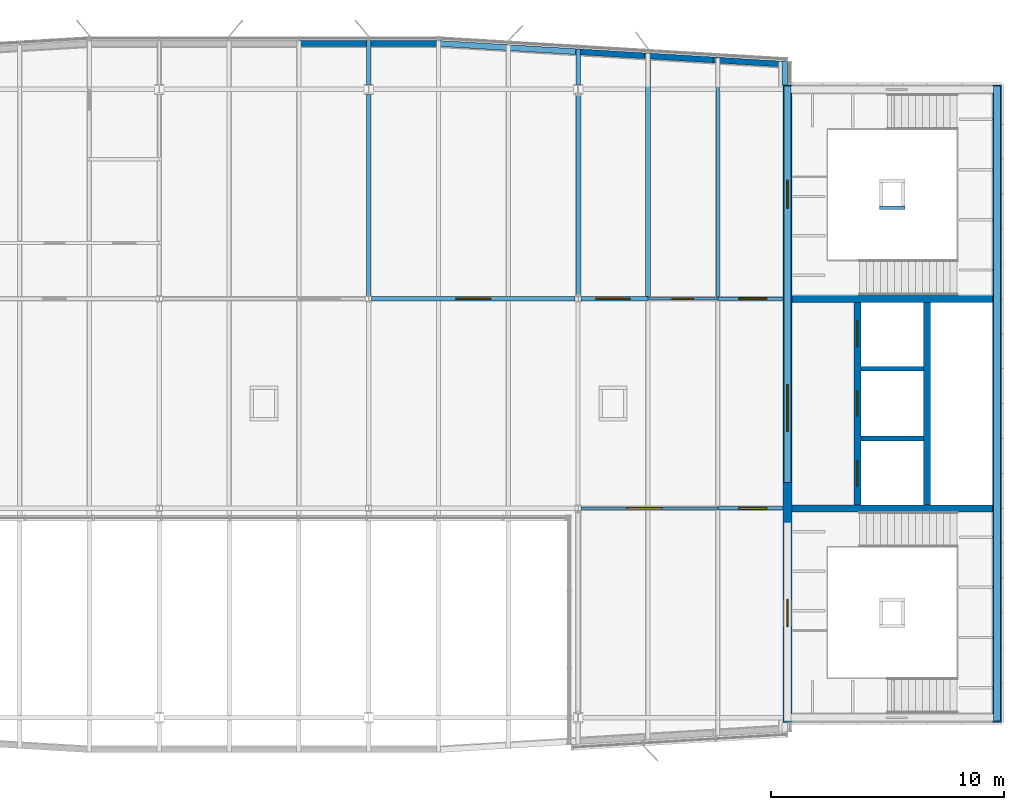
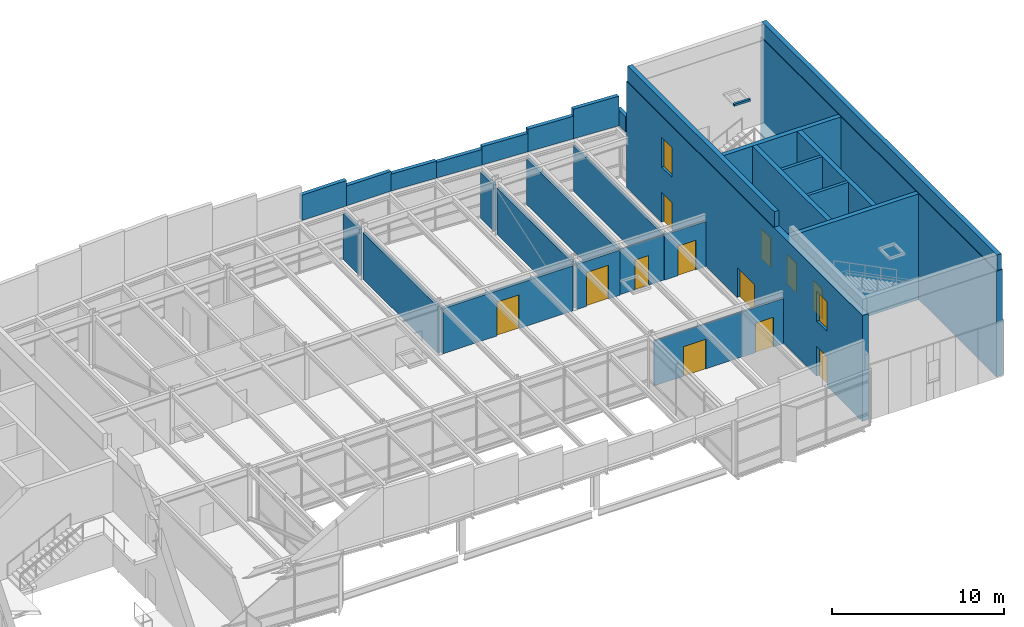
# One storey, part 19 of 23: 31 walls, 14 doors, 14 openings.
"""IFC4 building model written with IfcOpenShell, lengths in metres."""

from ifc_helpers import new_model, si_unit, direction, frame, frame_2d, origin, place, context, subcontext, project, spatial, rectangle, extrude, material, layer, layer_set, type_object, element, fill, save


model = new_model("IFC4")

# Units and contexts
model_context = context("Model", 3, precision=1e-05, world=origin(), true_north=direction((0.0, 1.0)))
body_context = subcontext(model_context, "Body", "Model", "MODEL_VIEW")
ifc_project = project(units=[si_unit("LENGTHUNIT", "METRE"), si_unit("AREAUNIT", "SQUARE_METRE"), si_unit("VOLUMEUNIT", "CUBIC_METRE"), si_unit("PLANEANGLEUNIT", "RADIAN"), si_unit("MASSUNIT", "GRAM", prefix="KILO")], contexts=[model_context])

# Site, building, storey
site_placement = place(None, origin())
site = spatial("IfcSite", under=ifc_project, at=site_placement, CompositionType="ELEMENT")
building_placement = place(site_placement, origin())
building = spatial("IfcBuilding", under=site, at=building_placement, Name="Azimuth Sports and Learning Centre", CompositionType="ELEMENT")
storey_placement = place(building_placement, frame((0.0, 0.0, 75.300048828125)))
storey = spatial("IfcBuildingStorey", under=building, at=storey_placement, Name="L17", CompositionType="ELEMENT", Elevation=75.300048828125)

# Walls
ifc_material_1 = material(Name="Dense masonry blockwork", Category="masonry")
ifc_layer_1 = layer(ifc_material_1, 0.199951171875)
ifc_layer_set_1 = layer_set([ifc_layer_1], Name="Dense masonry blockwork")
wall_type_1 = type_object("IfcWallType", Name="Blockwork wall 200 EI 120", PredefinedType="SOLIDWALL", material=ifc_layer_set_1)
for number, where, z_axis, x_axis, name in (
    (1, (111.14990234375, 102.0, 0.0), (0.0, 0.0, 1.0), (1.0, 0.0, 0.0), "SD-E-1-L17"),
    (2, (111.14990234375, 105.0, 0.0), (0.0, 0.0, 1.0), (1.0, 0.0, 0.0), "SD-E-2-L17"),
):
    element("IfcWall", number, at=place(storey_placement, frame(where, z_axis=z_axis, x_axis=x_axis)), inside=storey, type_object=wall_type_1, Name=name, PredefinedType="SOLIDWALL", context=body_context, shape_type="SweptSolid", body=[
        extrude(rectangle(XDim=2.7001953125, YDim=0.199951171875, at=frame_2d((1.35009765625, 0.0))), origin(), (0.0, 0.0, 1.0), 7.5),
    ])
ifc_material_2 = material(Name="Reinforced masonry parapet", Category="masonry")
ifc_layer_2 = layer(ifc_material_2, 0.25)
ifc_layer_set_2 = layer_set([ifc_layer_2], Name="Reinforced masonry parapet")
wall_type_2 = type_object("IfcWallType", Name="Parapet wall 250", PredefinedType="PARAPET", material=ifc_layer_set_2)
wall_1_placement = place(storey_placement, frame((107.875, 117.199951171875, 3.89990234375), z_axis=(0.0, 0.0, 1.0), x_axis=(0.0, 1.0, 0.0)))
element("IfcWall", 3, at=wall_1_placement, inside=storey, type_object=wall_type_2, Name="Parapet E-RET-N", PredefinedType="PARAPET", context=body_context, shape_type="SweptSolid", body=[
    extrude(rectangle(XDim=1.014892578125, YDim=0.25, at=frame_2d((0.50732421875, 0.0))), origin(), (0.0, 0.0, 1.0), 1.10009765625),
])
wall_2_placement = place(storey_placement, frame((107.750244140625, 118.08984375, 3.89990234375), z_axis=(0.0, 0.0, 1.0), x_axis=(-0.998206819367, 0.059859383295, 0.0)))
element("IfcWall", 4, at=wall_2_placement, inside=storey, type_object=wall_type_2, Name="Parapet N-TOWER-1 1", PredefinedType="PARAPET", context=body_context, shape_type="SweptSolid", body=[
    extrude(rectangle(XDim=2.95703125, YDim=0.25, at=frame_2d((1.478515625, 0.0))), origin(), (0.0, 0.0, 1.0), 2.10009765625),
])
wall_3_placement = place(storey_placement, frame((104.798583984375, 118.266845703125, 3.89990234375), z_axis=(0.0, 0.0, 1.0), x_axis=(-0.99820652349, 0.059864317109, 0.0)))
element("IfcWall", 5, at=wall_3_placement, inside=storey, type_object=wall_type_2, Name="Parapet N-TOWER-1 2", PredefinedType="PARAPET", context=body_context, shape_type="SweptSolid", body=[
    extrude(rectangle(XDim=2.956787109375, YDim=0.25, at=frame_2d((1.478515625, 0.0))), origin(), (0.0, 0.0, 1.0), 1.60009765625),
])
wall_4_placement = place(storey_placement, frame((101.84716796875, 118.44384765625, 3.89990234375), z_axis=(0.0, 0.0, 1.0), x_axis=(-0.998201882594, 0.059941651511, 0.0)))
element("IfcWall", 6, at=wall_4_placement, inside=storey, type_object=wall_type_2, Name="Parapet N-TOWER-1 3", PredefinedType="PARAPET", context=body_context, shape_type="SweptSolid", body=[
    extrude(rectangle(XDim=2.95703125, YDim=0.25, at=frame_2d((1.478515625, 0.0))), origin(), (0.0, 0.0, 1.0), 1.300048828125),
])
wall_5_placement = place(storey_placement, frame((98.8955078125, 118.62109375, 3.89990234375), z_axis=(0.0, 0.0, 1.0), x_axis=(-0.99820652349, 0.059864317109, 0.0)))
element("IfcWall", 7, at=wall_5_placement, inside=storey, type_object=wall_type_2, Name="Parapet N-TOWER-1 4", PredefinedType="PARAPET", context=body_context, shape_type="SweptSolid", body=[
    extrude(rectangle(XDim=2.956787109375, YDim=0.25, at=frame_2d((1.478515625, 0.0))), origin(), (0.0, 0.0, 1.0), 1.10009765625),
])
wall_6_placement = place(storey_placement, frame((95.944091796875, 118.798095703125, 3.89990234375), z_axis=(0.0, 0.0, 1.0), x_axis=(-0.998201882594, 0.059941651511, 0.0)))
element("IfcWall", 8, at=wall_6_placement, inside=storey, type_object=wall_type_2, Name="Parapet N-TOWER-1 5", PredefinedType="PARAPET", context=body_context, shape_type="SweptSolid", body=[
    extrude(rectangle(XDim=2.95703125, YDim=0.25, at=frame_2d((1.478515625, 0.0))), origin(), (0.0, 0.0, 1.0), 1.199951171875),
])
wall_7_placement = place(storey_placement, frame((92.99609375, 118.97509765625, 3.89990234375), z_axis=(0.0, 0.0, 1.0), x_axis=(-1.0, 0.0, 0.0)))
element("IfcWall", 9, at=wall_7_placement, inside=storey, type_object=wall_type_2, Name="Parapet N-TOWER-2 1", PredefinedType="PARAPET", context=body_context, shape_type="SweptSolid", body=[
    extrude(rectangle(XDim=2.999267578125, YDim=0.25, at=frame_2d((1.49951171875, 0.0))), origin(), (0.0, 0.0, 1.0), 1.400146484375),
])
wall_8_placement = place(storey_placement, frame((89.996826171875, 118.97509765625, 3.89990234375), z_axis=(0.0, 0.0, 1.0), x_axis=(-1.0, 0.0, 0.0)))
element("IfcWall", 10, at=wall_8_placement, inside=storey, type_object=wall_type_2, Name="Parapet N-TOWER-2 2", PredefinedType="PARAPET", context=body_context, shape_type="SweptSolid", body=[
    extrude(rectangle(XDim=2.9990234375, YDim=0.25, at=frame_2d((1.49951171875, 0.0))), origin(), (0.0, 0.0, 1.0), 1.800048828125),
])
ifc_material_3 = material(Name="Reinforced masonry parapet", Category="masonry")
ifc_layer_3 = layer(ifc_material_3, 0.300048828125)
ifc_layer_set_3 = layer_set([ifc_layer_3], Name="Reinforced masonry parapet")
wall_type_3 = type_object("IfcWallType", Name="Parapet wall 300", PredefinedType="PARAPET", material=ifc_layer_set_3)
wall_9_placement = place(storey_placement, frame((108.0, 100.10009765625, 7.5), z_axis=(0.0, 0.0, 1.0), x_axis=(0.0, 1.0, 0.0)))
element("IfcWall", 11, at=wall_9_placement, inside=storey, type_object=wall_type_3, Name="Crown parapet E W 2", PredefinedType="PARAPET", context=body_context, shape_type="SweptSolid", body=[
    extrude(rectangle(XDim=17.0498046875, YDim=0.300048828125, at=frame_2d((8.52490234375, 0.0))), origin(), (0.0, 0.0, 1.0), 1.099853515625),
])
wall_10_placement = place(storey_placement, frame((117.0, 89.85009765625, 7.5), z_axis=(0.0, 0.0, 1.0), x_axis=(0.0, 1.0, 0.0)))
element("IfcWall", 12, at=wall_10_placement, inside=storey, type_object=wall_type_3, Name="Crown parapet E E", PredefinedType="PARAPET", context=body_context, shape_type="SweptSolid", body=[
    extrude(rectangle(XDim=27.2998046875, YDim=0.300048828125, at=frame_2d((13.64990234375, 0.0))), origin(), (0.0, 0.0, 1.0), 1.099853515625),
])

# Wall, opening, door
ifc_material_4 = material(Name="Gypsum board on steel studs", Category="steel")
ifc_layer_4 = layer(ifc_material_4, 0.10009765625)
ifc_layer_set_4 = layer_set([ifc_layer_4], Name="Gypsum board on steel studs")
wall_type_4 = type_object("IfcWallType", Name="Partition 100 EI 30", PredefinedType="PARTITIONING", material=ifc_layer_set_4)
wall_11_placement = place(storey_placement, frame((99.1298828125, 99.0, 0.0), z_axis=(0.0, 0.0, 1.0), x_axis=(1.0, 0.0, 0.0)))
wall_11 = element("IfcWall", 13, at=wall_11_placement, inside=storey, type_object=wall_type_4, Name="Partition Boardroom 17.08 / Learning Street", PredefinedType="PARTITIONING", context=body_context, shape_type="SweptSolid", body=[
    extrude(rectangle(XDim=5.8701171875, YDim=0.10009765625, at=frame_2d((2.93505859375, 0.0))), origin(), (0.0, 0.0, 1.0), 3.199951171875),
])
opening_1_placement = place(wall_11_placement, frame((1.969970703125, 0.0, 0.0)))
opening_1 = element("IfcOpeningElement", 14, at=opening_1_placement, cuts=wall_11, Name="Opening D17-020", PredefinedType="OPENING", context=body_context, shape_type="SweptSolid", body=[
    extrude(rectangle(XDim=1.5, YDim=2.10009765625, at=frame_2d((0.75, 1.050048828125))), frame((0.0, 0.06103515625, 0.0), z_axis=(0.0, -1.0, 0.0), x_axis=(1.0, 0.0, 0.0)), (0.0, 0.0, 1.0), 0.1220703125),
])
ifc_material_5 = material(Name="Painted steel door set", Category="steel")
door_type_1 = type_object("IfcDoorType", Name="Fire door FD30S 1500 x 2100 double leaf", OperationType="DOUBLE_DOOR_SINGLE_SWING", PredefinedType="DOOR", material=ifc_material_5)
door_1_placement = place(opening_1_placement, frame((1.5, 0.0, 0.0), z_axis=(0.0, 0.0, 1.0), x_axis=(-1.0, 0.0, 0.0)))
door_1 = element("IfcDoor", 15, at=door_1_placement, inside=storey, type_object=door_type_1, Name="Door Boardroom 17.08 / Learning Street", OperationType="DOUBLE_DOOR_SINGLE_SWING", OverallHeight=2.10009765625, OverallWidth=1.5, PredefinedType="DOOR", context=body_context, shape_type="SweptSolid", body=[
    extrude(rectangle(XDim=1.5, YDim=2.10009765625, at=frame_2d((0.75, 1.050048828125))), frame((0.0, 0.02490234375, 0.0), z_axis=(0.0, -1.0, 0.0), x_axis=(1.0, 0.0, 0.0)), (0.0, 0.0, 1.0), 0.050048828125),
])
fill(opening_1, door_1)

wall_12_placement = place(storey_placement, frame((102.0, 108.0, 0.0), z_axis=(0.0, 0.0, 1.0), x_axis=(1.0, 0.0, 0.0)))
wall_12 = element("IfcWall", 16, at=wall_12_placement, inside=storey, type_object=wall_type_4, Name="Partition Faculty Office 17.19 / Learning Street", PredefinedType="PARTITIONING", context=body_context, shape_type="SweptSolid", body=[
    extrude(rectangle(XDim=3.0, YDim=0.10009765625, at=frame_2d((1.5, 0.0))), origin(), (0.0, 0.0, 1.0), 3.199951171875),
])
opening_2_placement = place(wall_12_placement, frame((1.050048828125, 0.0, 0.0)))
opening_2 = element("IfcOpeningElement", 17, at=opening_2_placement, cuts=wall_12, Name="Opening D17-027", PredefinedType="OPENING", context=body_context, shape_type="SweptSolid", body=[
    extrude(rectangle(XDim=0.89990234375, YDim=2.10009765625, at=frame_2d((0.449951171875, 1.050048828125))), frame((0.0, 0.06103515625, 0.0), z_axis=(0.0, -1.0, 0.0), x_axis=(1.0, 0.0, 0.0)), (0.0, 0.0, 1.0), 0.1220703125),
])
ifc_material_6 = material(Name="Painted steel door set", Category="steel")
door_type_2 = type_object("IfcDoorType", Name="Fire door FD30S 900 x 2100", OperationType="NOTDEFINED", PredefinedType="DOOR", material=ifc_material_6)
door_2_placement = place(opening_2_placement, origin())
door_2 = element("IfcDoor", 18, at=door_2_placement, inside=storey, type_object=door_type_2, Name="Door Faculty Office 17.19 / Learning Street", OperationType="SINGLE_SWING_RIGHT", OverallHeight=2.10009765625, OverallWidth=0.89990234375, PredefinedType="DOOR", context=body_context, shape_type="SweptSolid", body=[
    extrude(rectangle(XDim=0.89990234375, YDim=2.10009765625, at=frame_2d((0.449951171875, 1.050048828125))), frame((0.0, 0.02490234375, 0.0), z_axis=(0.0, -1.0, 0.0), x_axis=(1.0, 0.0, 0.0)), (0.0, 0.0, 1.0), 0.050048828125),
])
fill(opening_2, door_2)

ifc_material_7 = material(Name="Lightweight blockwork, rendered", Category="masonry")
ifc_layer_5 = layer(ifc_material_7, 0.14990234375)
ifc_layer_set_5 = layer_set([ifc_layer_5], Name="Lightweight blockwork, rendered")
wall_type_5 = type_object("IfcWallType", Name="Partition 150 EI 60", PredefinedType="PARTITIONING", material=ifc_layer_set_5)
wall_13_placement = place(storey_placement, frame((105.0, 99.0, 0.0), z_axis=(0.0, 0.0, 1.0), x_axis=(1.0, 0.0, 0.0)))
wall_13 = element("IfcWall", 19, at=wall_13_placement, inside=storey, type_object=wall_type_5, Name="Partition Stair Lobby E1 17.03 / Learning Street", PredefinedType="PARTITIONING", context=body_context, shape_type="SweptSolid", body=[
    extrude(rectangle(XDim=2.800048828125, YDim=0.14990234375, at=frame_2d((1.39990234375, 0.0))), origin(), (0.0, 0.0, 1.0), 3.199951171875),
])
opening_3_placement = place(wall_13_placement, frame((0.89990234375, 0.0, 0.0)))
opening_3 = element("IfcOpeningElement", 20, at=opening_3_placement, cuts=wall_13, Name="Opening D17-017", PredefinedType="OPENING", context=body_context, shape_type="SweptSolid", body=[
    extrude(rectangle(XDim=1.199951171875, YDim=2.10009765625, at=frame_2d((0.60009765625, 1.050048828125))), frame((0.0, 0.0859375, 0.0), z_axis=(0.0, -1.0, 0.0), x_axis=(1.0, 0.0, 0.0)), (0.0, 0.0, 1.0), 0.171875),
])
ifc_material_8 = material(Name="Painted steel door set", Category="steel")
door_type_3 = type_object("IfcDoorType", Name="Fire door FD60 1200 x 2100", OperationType="NOTDEFINED", PredefinedType="DOOR", material=ifc_material_8)
door_3_placement = place(opening_3_placement, frame((1.199951171875, 0.0, 0.0), z_axis=(0.0, 0.0, 1.0), x_axis=(-1.0, 0.0, 0.0)))
door_3 = element("IfcDoor", 21, at=door_3_placement, inside=storey, type_object=door_type_3, Name="Door Stair Lobby E1 17.03 / Learning Street", OperationType="SINGLE_SWING_LEFT", OverallHeight=2.10009765625, OverallWidth=1.199951171875, PredefinedType="DOOR", context=body_context, shape_type="SweptSolid", body=[
    extrude(rectangle(XDim=1.199951171875, YDim=2.10009765625, at=frame_2d((0.60009765625, 1.050048828125))), frame((0.0, 0.02490234375, 0.0), z_axis=(0.0, -1.0, 0.0), x_axis=(1.0, 0.0, 0.0)), (0.0, 0.0, 1.0), 0.050048828125),
])
fill(opening_3, door_3)

wall_14_placement = place(storey_placement, frame((105.0, 108.0, 0.0), z_axis=(0.0, 0.0, 1.0), x_axis=(1.0, 0.0, 0.0)))
wall_14 = element("IfcWall", 22, at=wall_14_placement, inside=storey, type_object=wall_type_5, Name="Partition Stair Lobby E2 17.04 / Learning Street", PredefinedType="PARTITIONING", context=body_context, shape_type="SweptSolid", body=[
    extrude(rectangle(XDim=2.800048828125, YDim=0.14990234375, at=frame_2d((1.39990234375, 0.0))), origin(), (0.0, 0.0, 1.0), 3.199951171875),
])
opening_4_placement = place(wall_14_placement, frame((0.89990234375, 0.0, 0.0)))
opening_4 = element("IfcOpeningElement", 23, at=opening_4_placement, cuts=wall_14, Name="Opening D17-018", PredefinedType="OPENING", context=body_context, shape_type="SweptSolid", body=[
    extrude(rectangle(XDim=1.199951171875, YDim=2.10009765625, at=frame_2d((0.60009765625, 1.050048828125))), frame((0.0, 0.0859375, 0.0), z_axis=(0.0, -1.0, 0.0), x_axis=(1.0, 0.0, 0.0)), (0.0, 0.0, 1.0), 0.171875),
])
door_4_placement = place(opening_4_placement, origin())
door_4 = element("IfcDoor", 24, at=door_4_placement, inside=storey, type_object=door_type_3, Name="Door Stair Lobby E2 17.04 / Learning Street", OperationType="SINGLE_SWING_RIGHT", OverallHeight=2.10009765625, OverallWidth=1.199951171875, PredefinedType="DOOR", context=body_context, shape_type="SweptSolid", body=[
    extrude(rectangle(XDim=1.199951171875, YDim=2.10009765625, at=frame_2d((0.60009765625, 1.050048828125))), frame((0.0, 0.02490234375, 0.0), z_axis=(0.0, -1.0, 0.0), x_axis=(1.0, 0.0, 0.0)), (0.0, 0.0, 1.0), 0.050048828125),
])
fill(opening_4, door_4)

# Wall
wall_15_placement = place(storey_placement, frame((105.0, 108.074951171875, 0.0), z_axis=(0.0, 0.0, 1.0), x_axis=(0.0, 1.0, 0.0)))
element("IfcWall", 25, at=wall_15_placement, inside=storey, type_object=wall_type_5, Name="Partition Stair Lobby E2 17.04 / Faculty Office 17.19", PredefinedType="PARTITIONING", context=body_context, shape_type="SweptSolid", body=[
    extrude(rectangle(XDim=10.304931640625, YDim=0.14990234375, at=frame_2d((5.15234375, 0.0))), origin(), (0.0, 0.0, 1.0), 3.25),
])

# Wall, opening, door
ifc_material_9 = material(Name="Lightweight blockwork, rendered", Category="masonry")
ifc_layer_6 = layer(ifc_material_9, 0.199951171875)
ifc_layer_set_6 = layer_set([ifc_layer_6], Name="Lightweight blockwork, rendered")
wall_type_6 = type_object("IfcWallType", Name="Partition 200 EI 120", PredefinedType="PARTITIONING", material=ifc_layer_set_6)
wall_16_placement = place(storey_placement, frame((90.1298828125, 108.0, 0.0), z_axis=(0.0, 0.0, 1.0), x_axis=(1.0, 0.0, 0.0)))
wall_16 = element("IfcWall", 26, at=wall_16_placement, inside=storey, type_object=wall_type_6, Name="Partition Plant Room 17.17 / Electrical Room 17.18", PredefinedType="PARTITIONING", context=body_context, shape_type="SweptSolid", body=[
    extrude(rectangle(XDim=8.740234375, YDim=0.199951171875, at=frame_2d((4.3701171875, 0.0))), origin(), (0.0, 0.0, 1.0), 3.199951171875),
])
opening_5_placement = place(wall_16_placement, frame((3.6201171875, 0.0, 0.0)))
opening_5 = element("IfcOpeningElement", 27, at=opening_5_placement, cuts=wall_16, Name="Opening D17-025", PredefinedType="OPENING", context=body_context, shape_type="SweptSolid", body=[
    extrude(rectangle(XDim=1.5, YDim=2.39990234375, at=frame_2d((0.75, 1.199951171875))), frame((0.0, 0.11083984375, 0.0), z_axis=(0.0, -1.0, 0.0), x_axis=(1.0, 0.0, 0.0)), (0.0, 0.0, 1.0), 0.221923828125),
])
ifc_material_10 = material(Name="Painted steel door set", Category="steel")
door_type_4 = type_object("IfcDoorType", Name="Fire door FD120 1500 x 2400 double leaf", OperationType="DOUBLE_DOOR_SINGLE_SWING", PredefinedType="DOOR", material=ifc_material_10)
door_5_placement = place(opening_5_placement, frame((1.5, 0.0, 0.0), z_axis=(0.0, 0.0, 1.0), x_axis=(-1.0, 0.0, 0.0)))
door_5 = element("IfcDoor", 28, at=door_5_placement, inside=storey, type_object=door_type_4, Name="Door Plant Room 17.17 / Learning Street", OperationType="DOUBLE_DOOR_SINGLE_SWING", OverallHeight=2.39990234375, OverallWidth=1.5, PredefinedType="DOOR", context=body_context, shape_type="SweptSolid", body=[
    extrude(rectangle(XDim=1.5, YDim=2.39990234375, at=frame_2d((0.75, 1.199951171875))), frame((0.0, 0.02490234375, 0.0), z_axis=(0.0, -1.0, 0.0), x_axis=(1.0, 0.0, 0.0)), (0.0, 0.0, 1.0), 0.050048828125),
])
fill(opening_5, door_5)

wall_17_placement = place(storey_placement, frame((99.1298828125, 108.0, 0.0), z_axis=(0.0, 0.0, 1.0), x_axis=(1.0, 0.0, 0.0)))
wall_17 = element("IfcWall", 29, at=wall_17_placement, inside=storey, type_object=wall_type_6, Name="Partition Plant Room 17.17 / Electrical Room 17.18", PredefinedType="PARTITIONING", context=body_context, shape_type="SweptSolid", body=[
    extrude(rectangle(XDim=2.8701171875, YDim=0.199951171875, at=frame_2d((1.43505859375, 0.0))), origin(), (0.0, 0.0, 1.0), 3.199951171875),
])
opening_6_placement = place(wall_17_placement, frame((0.6201171875, 0.0, 0.0)))
opening_6 = element("IfcOpeningElement", 30, at=opening_6_placement, cuts=wall_17, Name="Opening D17-026", PredefinedType="OPENING", context=body_context, shape_type="SweptSolid", body=[
    extrude(rectangle(XDim=1.5, YDim=2.39990234375, at=frame_2d((0.75, 1.199951171875))), frame((0.0, 0.11083984375, 0.0), z_axis=(0.0, -1.0, 0.0), x_axis=(1.0, 0.0, 0.0)), (0.0, 0.0, 1.0), 0.221923828125),
])
door_6_placement = place(opening_6_placement, frame((1.5, 0.0, 0.0), z_axis=(0.0, 0.0, 1.0), x_axis=(-1.0, 0.0, 0.0)))
door_6 = element("IfcDoor", 31, at=door_6_placement, inside=storey, type_object=door_type_4, Name="Door Electrical Room 17.18 / Learning Street", OperationType="DOUBLE_DOOR_SINGLE_SWING", OverallHeight=2.39990234375, OverallWidth=1.5, PredefinedType="DOOR", context=body_context, shape_type="SweptSolid", body=[
    extrude(rectangle(XDim=1.5, YDim=2.39990234375, at=frame_2d((0.75, 1.199951171875))), frame((0.0, 0.02490234375, 0.0), z_axis=(0.0, -1.0, 0.0), x_axis=(1.0, 0.0, 0.0)), (0.0, 0.0, 1.0), 0.050048828125),
])
fill(opening_6, door_6)

# Walls
wall_18_placement = place(storey_placement, frame((90.0, 108.1298828125, 0.0), z_axis=(0.0, 0.0, 1.0), x_axis=(0.0, 1.0, 0.0)))
element("IfcWall", 32, at=wall_18_placement, inside=storey, type_object=wall_type_6, Name="Partition Seminar Room 17.16 / Plant Room 17.17", PredefinedType="PARTITIONING", context=body_context, shape_type="SweptSolid", body=[
    extrude(rectangle(XDim=8.652587890625, YDim=0.199951171875, at=frame_2d((4.326171875, 0.0))), origin(), (0.0, 0.0, 1.0), 3.300048828125),
])
wall_19_placement = place(storey_placement, frame((90.0, 117.217529296875, 0.0), z_axis=(0.0, 0.0, 1.0), x_axis=(0.0, 1.0, 0.0)))
element("IfcWall", 33, at=wall_19_placement, inside=storey, type_object=wall_type_6, Name="Partition Seminar Room 17.16 / Plant Room 17.17", PredefinedType="PARTITIONING", context=body_context, shape_type="SweptSolid", body=[
    extrude(rectangle(XDim=1.882568359375, YDim=0.199951171875, at=frame_2d((0.94140625, 0.0))), origin(), (0.0, 0.0, 1.0), 3.25),
])
wall_20_placement = place(storey_placement, frame((99.0, 108.1298828125, 0.0), z_axis=(0.0, 0.0, 1.0), x_axis=(0.0, 1.0, 0.0)))
element("IfcWall", 34, at=wall_20_placement, inside=storey, type_object=wall_type_6, Name="Partition Plant Room 17.17 / Electrical Room 17.18", PredefinedType="PARTITIONING", context=body_context, shape_type="SweptSolid", body=[
    extrude(rectangle(XDim=8.652587890625, YDim=0.199951171875, at=frame_2d((4.326171875, 0.0))), origin(), (0.0, 0.0, 1.0), 3.300048828125),
])
wall_21_placement = place(storey_placement, frame((99.0, 117.217529296875, 0.0), z_axis=(0.0, 0.0, 1.0), x_axis=(0.0, 1.0, 0.0)))
element("IfcWall", 35, at=wall_21_placement, inside=storey, type_object=wall_type_6, Name="Partition Plant Room 17.17 / Electrical Room 17.18", PredefinedType="PARTITIONING", context=body_context, shape_type="SweptSolid", body=[
    extrude(rectangle(XDim=1.5224609375, YDim=0.199951171875, at=frame_2d((0.76123046875, 0.0))), origin(), (0.0, 0.0, 1.0), 3.25),
])
wall_22_placement = place(storey_placement, frame((102.0, 108.10009765625, 0.0), z_axis=(0.0, 0.0, 1.0), x_axis=(0.0, 1.0, 0.0)))
element("IfcWall", 36, at=wall_22_placement, inside=storey, type_object=wall_type_6, Name="Partition Electrical Room 17.18 / Faculty Office 17.19", PredefinedType="PARTITIONING", context=body_context, shape_type="SweptSolid", body=[
    extrude(rectangle(XDim=10.4599609375, YDim=0.199951171875, at=frame_2d((5.22998046875, 0.0))), origin(), (0.0, 0.0, 1.0), 3.25),
])
ifc_material_11 = material(Name="Concrete C40/50", Category="concrete")
ifc_layer_7 = layer(ifc_material_11, 0.300048828125)
ifc_layer_set_7 = layer_set([ifc_layer_7], Name="Concrete C40/50")
wall_type_7 = type_object("IfcWallType", Name="RC core wall 300", PredefinedType="SHEAR", material=ifc_layer_set_7)
for number, where, z_axis, x_axis, name in (
    (37, (108.199951171875, 99.0, 0.0), (0.0, 0.0, 1.0), (1.0, 0.0, 0.0), "Core wall E D1 L17"),
    (38, (108.199951171875, 108.0, 0.0), (0.0, 0.0, 1.0), (1.0, 0.0, 0.0), "Core wall E D2 L17"),
):
    element("IfcWall", number, at=place(storey_placement, frame(where, z_axis=z_axis, x_axis=x_axis)), inside=storey, type_object=wall_type_7, Name=name, PredefinedType="SHEAR", context=body_context, shape_type="SweptSolid", body=[
        extrude(rectangle(XDim=8.60009765625, YDim=0.300048828125, at=frame_2d((4.300048828125, 0.0))), origin(), (0.0, 0.0, 1.0), 7.5),
    ])

# Wall, openings, doors
wall_23_placement = place(storey_placement, frame((111.0, 99.14990234375, 0.0), z_axis=(0.0, 0.0, 1.0), x_axis=(0.0, 1.0, 0.0)))
wall_23 = element("IfcWall", 39, at=wall_23_placement, inside=storey, type_object=wall_type_7, Name="Core wall E LB1 L17", PredefinedType="SHEAR", context=body_context, shape_type="SweptSolid", body=[
    extrude(rectangle(XDim=8.7001953125, YDim=0.300048828125, at=frame_2d((4.35009765625, 0.0))), origin(), (0.0, 0.0, 1.0), 7.5),
])
opening_7_placement = place(wall_23_placement, frame((0.800048828125, 0.0, 0.0)))
opening_7 = element("IfcOpeningElement", 40, at=opening_7_placement, cuts=wall_23, Name="Opening D17-012", PredefinedType="OPENING", context=body_context, shape_type="SweptSolid", body=[
    extrude(rectangle(XDim=1.10009765625, YDim=2.10009765625, at=frame_2d((0.550048828125, 1.050048828125))), frame((0.0, 0.1611328125, 0.0), z_axis=(0.0, -1.0, 0.0), x_axis=(1.0, 0.0, 0.0)), (0.0, 0.0, 1.0), 0.322021484375),
])
opening_8_placement = place(wall_23_placement, frame((3.800048828125, 0.0, 0.0)))
opening_8 = element("IfcOpeningElement", 41, at=opening_8_placement, cuts=wall_23, Name="Opening D17-013", PredefinedType="OPENING", context=body_context, shape_type="SweptSolid", body=[
    extrude(rectangle(XDim=1.10009765625, YDim=2.10009765625, at=frame_2d((0.550048828125, 1.050048828125))), frame((0.0, 0.1611328125, 0.0), z_axis=(0.0, -1.0, 0.0), x_axis=(1.0, 0.0, 0.0)), (0.0, 0.0, 1.0), 0.322021484375),
])
opening_9_placement = place(wall_23_placement, frame((6.800048828125, 0.0, 0.0)))
opening_9 = element("IfcOpeningElement", 42, at=opening_9_placement, cuts=wall_23, Name="Opening D17-014", PredefinedType="OPENING", context=body_context, shape_type="SweptSolid", body=[
    extrude(rectangle(XDim=1.10009765625, YDim=2.10009765625, at=frame_2d((0.550048828125, 1.050048828125))), frame((0.0, 0.1611328125, 0.0), z_axis=(0.0, -1.0, 0.0), x_axis=(1.0, 0.0, 0.0)), (0.0, 0.0, 1.0), 0.322021484375),
])
ifc_material_12 = material(Name="Stainless steel", Category="steel")
door_type_5 = type_object("IfcDoorType", Name="Lift landing door 1100 x 2100", OperationType="DOUBLE_DOOR_SLIDING", PredefinedType="DOOR", material=ifc_material_12)
door_7_placement = place(opening_7_placement, origin())
door_7 = element("IfcDoor", 43, at=door_7_placement, inside=storey, type_object=door_type_5, Name="Landing door LE1 L17", OperationType="DOUBLE_DOOR_SLIDING", OverallHeight=2.10009765625, OverallWidth=1.10009765625, PredefinedType="DOOR", context=body_context, shape_type="SweptSolid", body=[
    extrude(rectangle(XDim=1.10009765625, YDim=2.10009765625, at=frame_2d((0.550048828125, 1.050048828125))), frame((0.0, 0.02490234375, 0.0), z_axis=(0.0, -1.0, 0.0), x_axis=(1.0, 0.0, 0.0)), (0.0, 0.0, 1.0), 0.050048828125),
])
fill(opening_7, door_7)
door_8_placement = place(opening_8_placement, origin())
door_8 = element("IfcDoor", 44, at=door_8_placement, inside=storey, type_object=door_type_5, Name="Landing door LE2 L17", OperationType="DOUBLE_DOOR_SLIDING", OverallHeight=2.10009765625, OverallWidth=1.10009765625, PredefinedType="DOOR", context=body_context, shape_type="SweptSolid", body=[
    extrude(rectangle(XDim=1.10009765625, YDim=2.10009765625, at=frame_2d((0.550048828125, 1.050048828125))), frame((0.0, 0.02490234375, 0.0), z_axis=(0.0, -1.0, 0.0), x_axis=(1.0, 0.0, 0.0)), (0.0, 0.0, 1.0), 0.050048828125),
])
fill(opening_8, door_8)
door_9_placement = place(opening_9_placement, origin())
door_9 = element("IfcDoor", 45, at=door_9_placement, inside=storey, type_object=door_type_5, Name="Landing door LE3 L17", OperationType="DOUBLE_DOOR_SLIDING", OverallHeight=2.10009765625, OverallWidth=1.10009765625, PredefinedType="DOOR", context=body_context, shape_type="SweptSolid", body=[
    extrude(rectangle(XDim=1.10009765625, YDim=2.10009765625, at=frame_2d((0.550048828125, 1.050048828125))), frame((0.0, 0.02490234375, 0.0), z_axis=(0.0, -1.0, 0.0), x_axis=(1.0, 0.0, 0.0)), (0.0, 0.0, 1.0), 0.050048828125),
])
fill(opening_9, door_9)

# Wall
wall_24_placement = place(storey_placement, frame((114.0, 99.14990234375, 0.0), z_axis=(0.0, 0.0, 1.0), x_axis=(0.0, 1.0, 0.0)))
element("IfcWall", 46, at=wall_24_placement, inside=storey, type_object=wall_type_7, Name="Core wall E LB2 L17", PredefinedType="SHEAR", context=body_context, shape_type="SweptSolid", body=[
    extrude(rectangle(XDim=8.7001953125, YDim=0.300048828125, at=frame_2d((4.35009765625, 0.0))), origin(), (0.0, 0.0, 1.0), 7.5),
])

# Wall, openings, doors
ifc_material_13 = material(Name="Concrete C40/50", Category="concrete")
ifc_layer_8 = layer(ifc_material_13, 0.39990234375)
ifc_layer_set_8 = layer_set([ifc_layer_8], Name="Concrete C40/50")
wall_type_8 = type_object("IfcWallType", Name="RC core wall 400", PredefinedType="SHEAR", material=ifc_layer_set_8)
wall_25_placement = place(storey_placement, frame((108.0, 89.800048828125, 0.0), z_axis=(0.0, 0.0, 1.0), x_axis=(0.0, 1.0, 0.0)))
wall_25 = element("IfcWall", 47, at=wall_25_placement, inside=storey, type_object=wall_type_8, Name="Core wall E W L17", PredefinedType="SHEAR", context=body_context, shape_type="SweptSolid", body=[
    extrude(rectangle(XDim=27.39990234375, YDim=0.39990234375, at=frame_2d((13.699951171875, 0.0))), origin(), (0.0, 0.0, 1.0), 7.5),
])
opening_10_placement = place(wall_25_placement, frame((4.10009765625, 0.0, 0.0)))
opening_10 = element("IfcOpeningElement", 48, at=opening_10_placement, cuts=wall_25, Name="Opening D17-005", PredefinedType="OPENING", context=body_context, shape_type="SweptSolid", body=[
    extrude(rectangle(XDim=1.199951171875, YDim=2.10009765625, at=frame_2d((0.60009765625, 1.050048828125))), frame((0.0, 0.2109375, 0.0), z_axis=(0.0, -1.0, 0.0), x_axis=(1.0, 0.0, 0.0)), (0.0, 0.0, 1.0), 0.421875),
])
opening_11_placement = place(wall_25_placement, frame((4.10009765625, 0.0, 3.89990234375)))
opening_11 = element("IfcOpeningElement", 49, at=opening_11_placement, cuts=wall_25, Name="Opening D17-006", PredefinedType="OPENING", context=body_context, shape_type="SweptSolid", body=[
    extrude(rectangle(XDim=1.199951171875, YDim=2.10009765625, at=frame_2d((0.60009765625, 1.050048828125))), frame((0.0, 0.2109375, 0.0), z_axis=(0.0, -1.0, 0.0), x_axis=(1.0, 0.0, 0.0)), (0.0, 0.0, 1.0), 0.421875),
])
opening_12_placement = place(wall_25_placement, frame((22.10009765625, 0.0, 0.0)))
opening_12 = element("IfcOpeningElement", 50, at=opening_12_placement, cuts=wall_25, Name="Opening D17-007", PredefinedType="OPENING", context=body_context, shape_type="SweptSolid", body=[
    extrude(rectangle(XDim=1.199951171875, YDim=2.10009765625, at=frame_2d((0.60009765625, 1.050048828125))), frame((0.0, 0.2109375, 0.0), z_axis=(0.0, -1.0, 0.0), x_axis=(1.0, 0.0, 0.0)), (0.0, 0.0, 1.0), 0.421875),
])
opening_13_placement = place(wall_25_placement, frame((22.10009765625, 0.0, 3.89990234375)))
opening_13 = element("IfcOpeningElement", 51, at=opening_13_placement, cuts=wall_25, Name="Opening D17-008", PredefinedType="OPENING", context=body_context, shape_type="SweptSolid", body=[
    extrude(rectangle(XDim=1.199951171875, YDim=2.10009765625, at=frame_2d((0.60009765625, 1.050048828125))), frame((0.0, 0.2109375, 0.0), z_axis=(0.0, -1.0, 0.0), x_axis=(1.0, 0.0, 0.0)), (0.0, 0.0, 1.0), 0.421875),
])
opening_14_placement = place(wall_25_placement, frame((12.5, 0.0, 0.0)))
opening_14 = element("IfcOpeningElement", 52, at=opening_14_placement, cuts=wall_25, Name="Opening D17-033", PredefinedType="OPENING", context=body_context, shape_type="SweptSolid", body=[
    extrude(rectangle(XDim=2.0, YDim=2.10009765625, at=frame_2d((1.0, 1.050048828125))), frame((0.0, 0.2109375, 0.0), z_axis=(0.0, -1.0, 0.0), x_axis=(1.0, 0.0, 0.0)), (0.0, 0.0, 1.0), 0.421875),
])
ifc_material_14 = material(Name="Painted steel door set", Category="steel")
door_type_6 = type_object("IfcDoorType", Name="Fire door FD120 2000 x 2100 double leaf", OperationType="DOUBLE_DOOR_SINGLE_SWING", PredefinedType="DOOR", material=ifc_material_14)
door_10_placement = place(opening_14_placement, frame((2.0, 0.0, 0.0), z_axis=(0.0, 0.0, 1.0), x_axis=(-1.0, 0.0, 0.0)))
door_10 = element("IfcDoor", 53, at=door_10_placement, inside=storey, type_object=door_type_6, Name="Door Lift Lobby E 17.06 / Learning Street", OperationType="DOUBLE_DOOR_SINGLE_SWING", OverallHeight=2.10009765625, OverallWidth=2.0, PredefinedType="DOOR", context=body_context, shape_type="SweptSolid", body=[
    extrude(rectangle(XDim=2.0, YDim=2.10009765625, at=frame_2d((1.0, 1.050048828125))), frame((0.0, 0.02490234375, 0.0), z_axis=(0.0, -1.0, 0.0), x_axis=(1.0, 0.0, 0.0)), (0.0, 0.0, 1.0), 0.050048828125),
])
fill(opening_14, door_10)
ifc_material_15 = material(Name="Steel", Category="steel")
door_type_7 = type_object("IfcDoorType", Name="Stair fire door 1200 x 2100", OperationType="NOTDEFINED", PredefinedType="DOOR", material=ifc_material_15)
door_11_placement = place(opening_10_placement, frame((1.199951171875, 0.0, 0.0), z_axis=(0.0, 0.0, 1.0), x_axis=(-1.0, 0.0, 0.0)))
door_11 = element("IfcDoor", 54, at=door_11_placement, inside=storey, type_object=door_type_7, Name="Stair door E1 L17", OperationType="SINGLE_SWING_RIGHT", OverallHeight=2.10009765625, OverallWidth=1.199951171875, PredefinedType="DOOR", context=body_context, shape_type="SweptSolid", body=[
    extrude(rectangle(XDim=1.199951171875, YDim=2.10009765625, at=frame_2d((0.60009765625, 1.050048828125))), frame((0.0, 0.02490234375, 0.0), z_axis=(0.0, -1.0, 0.0), x_axis=(1.0, 0.0, 0.0)), (0.0, 0.0, 1.0), 0.050048828125),
])
fill(opening_10, door_11)
door_12_placement = place(opening_11_placement, origin())
door_12 = element("IfcDoor", 55, at=door_12_placement, inside=storey, type_object=door_type_7, Name="Roof access door E1", OperationType="SINGLE_SWING_RIGHT", OverallHeight=2.10009765625, OverallWidth=1.199951171875, PredefinedType="DOOR", context=body_context, shape_type="SweptSolid", body=[
    extrude(rectangle(XDim=1.199951171875, YDim=2.10009765625, at=frame_2d((0.60009765625, 1.050048828125))), frame((0.0, 0.02490234375, 0.0), z_axis=(0.0, -1.0, 0.0), x_axis=(1.0, 0.0, 0.0)), (0.0, 0.0, 1.0), 0.050048828125),
])
fill(opening_11, door_12)
door_13_placement = place(opening_12_placement, frame((1.199951171875, 0.0, 0.0), z_axis=(0.0, 0.0, 1.0), x_axis=(-1.0, 0.0, 0.0)))
door_13 = element("IfcDoor", 56, at=door_13_placement, inside=storey, type_object=door_type_7, Name="Stair door E2 L17", OperationType="SINGLE_SWING_RIGHT", OverallHeight=2.10009765625, OverallWidth=1.199951171875, PredefinedType="DOOR", context=body_context, shape_type="SweptSolid", body=[
    extrude(rectangle(XDim=1.199951171875, YDim=2.10009765625, at=frame_2d((0.60009765625, 1.050048828125))), frame((0.0, 0.02490234375, 0.0), z_axis=(0.0, -1.0, 0.0), x_axis=(1.0, 0.0, 0.0)), (0.0, 0.0, 1.0), 0.050048828125),
])
fill(opening_12, door_13)
door_14_placement = place(opening_13_placement, origin())
door_14 = element("IfcDoor", 57, at=door_14_placement, inside=storey, type_object=door_type_7, Name="Roof access door E2", OperationType="SINGLE_SWING_LEFT", OverallHeight=2.10009765625, OverallWidth=1.199951171875, PredefinedType="DOOR", context=body_context, shape_type="SweptSolid", body=[
    extrude(rectangle(XDim=1.199951171875, YDim=2.10009765625, at=frame_2d((0.60009765625, 1.050048828125))), frame((0.0, 0.02490234375, 0.0), z_axis=(0.0, -1.0, 0.0), x_axis=(1.0, 0.0, 0.0)), (0.0, 0.0, 1.0), 0.050048828125),
])
fill(opening_13, door_14)

# Walls
ifc_material_16 = material(Name="Concrete C40/50", Category="concrete")
ifc_layer_9 = layer(ifc_material_16, 0.39990234375)
ifc_layer_set_9 = layer_set([ifc_layer_9], Name="Concrete C40/50")
wall_type_9 = type_object("IfcWallType", Name="RC external core wall 400", PredefinedType="SHEAR", material=ifc_layer_set_9)
wall_26_placement = place(storey_placement, frame((117.0, 89.800048828125, 0.0), z_axis=(0.0, 0.0, 1.0), x_axis=(0.0, 1.0, 0.0)))
element("IfcWall", 58, at=wall_26_placement, inside=storey, type_object=wall_type_9, Name="Core wall E E L17", PredefinedType="SHEAR", context=body_context, shape_type="SweptSolid", body=[
    extrude(rectangle(XDim=27.39990234375, YDim=0.39990234375, at=frame_2d((13.699951171875, 0.0))), origin(), (0.0, 0.0, 1.0), 7.5),
])
ifc_material_17 = material(Name="Insulated upstand")
ifc_layer_10 = layer(ifc_material_17, 0.14990234375)
ifc_layer_set_10 = layer_set([ifc_layer_10], Name="Insulated upstand")
wall_type_10 = type_object("IfcWallType", Name="Rooflight upstand 150", PredefinedType="SOLIDWALL", material=ifc_layer_set_10)
wall_27_placement = place(storey_placement, frame((111.949951171875, 111.925048828125, 7.5), z_axis=(0.0, 0.0, 1.0), x_axis=(1.0, 0.0, 0.0)))
element("IfcWall", 59, at=wall_27_placement, inside=storey, type_object=wall_type_10, Name="Rooflight upstand S", PredefinedType="SOLIDWALL", context=body_context, shape_type="SweptSolid", body=[
    extrude(rectangle(XDim=1.10009765625, YDim=0.14990234375, at=frame_2d((0.550048828125, 0.0))), origin(), (0.0, 0.0, 1.0), 0.14990234375),
])

save(model, "model.ifc")
